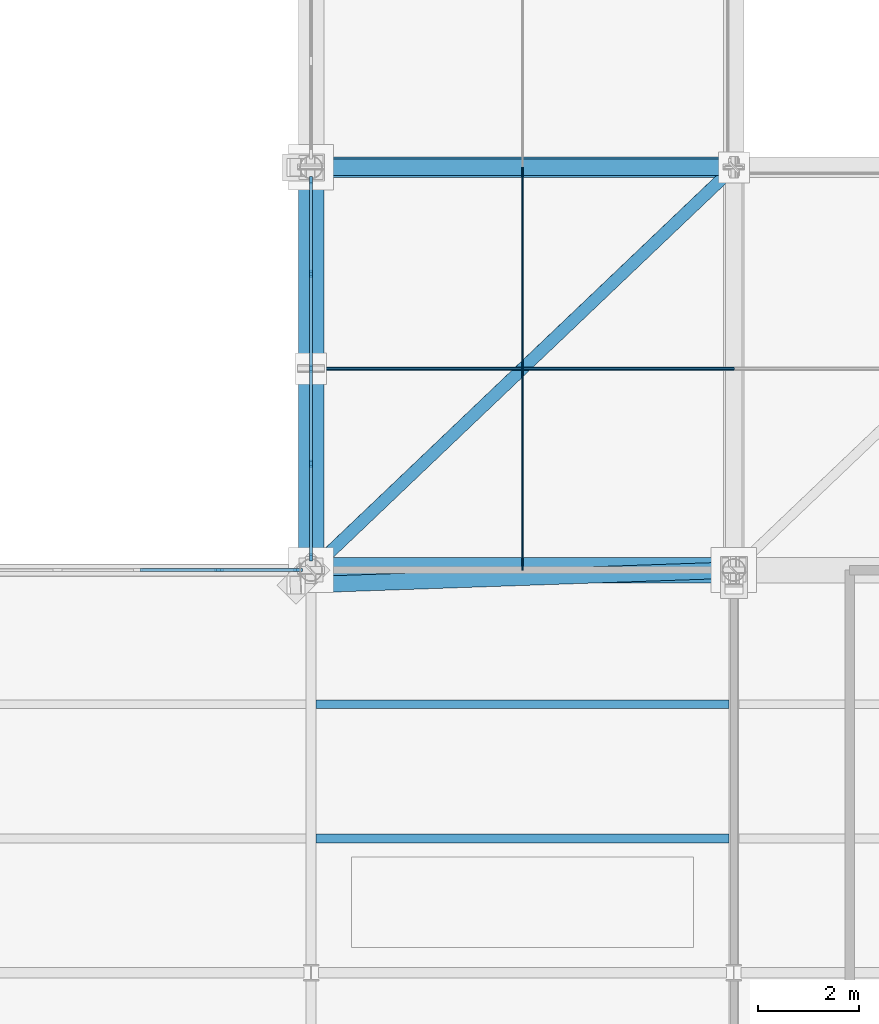
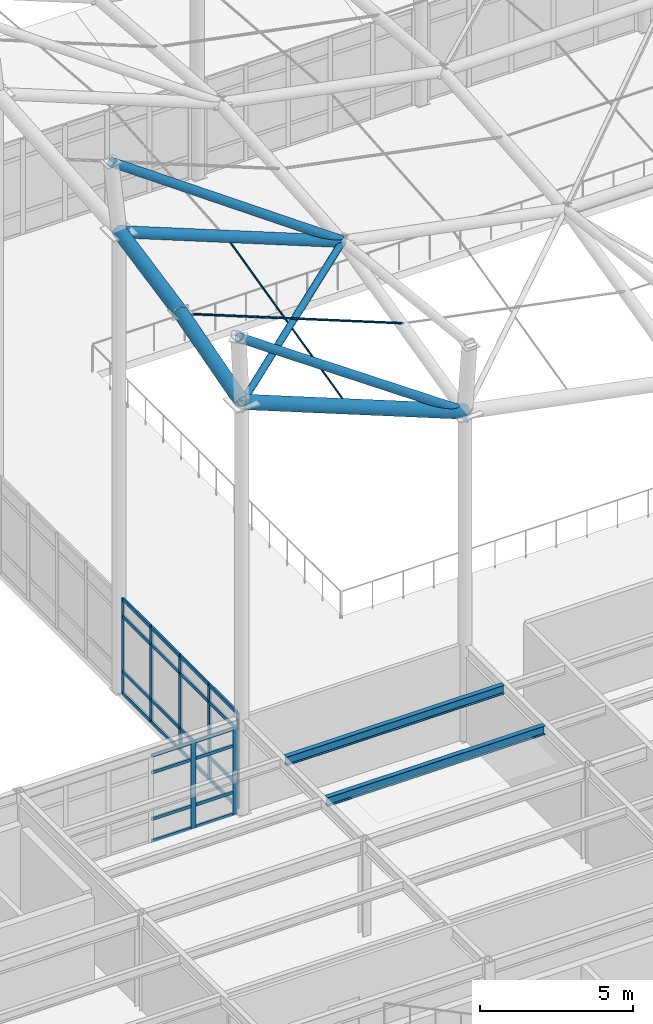
# One storey, part 29 of 138: 36 members, 6 beams, 2 elements without a shape of their own.
"""IFC4 building model written with IfcOpenShell, lengths in metres."""

from ifc_helpers import new_model, si_unit, direction, frame, origin, origin_2d, place, context, subcontext, project, spatial, rectangle, circle, hollow_circle, i_section, extrude, material, layer, layer_set, material_profile, profile_set, type_object, element, aggregate, save


model = new_model("IFC4")

# Units and contexts
model_context = context("Model", 3, precision=1e-05, world=origin(), true_north=direction((0.0, 1.0)))
body_context = subcontext(model_context, "Body", "Model", "MODEL_VIEW")
ifc_project = project(units=[si_unit("LENGTHUNIT", "METRE"), si_unit("AREAUNIT", "SQUARE_METRE"), si_unit("VOLUMEUNIT", "CUBIC_METRE"), si_unit("PLANEANGLEUNIT", "RADIAN"), si_unit("MASSUNIT", "GRAM", prefix="KILO")], contexts=[model_context])

# Site, building, storey
site_placement = place(None, origin())
site = spatial("IfcSite", under=ifc_project, at=site_placement, CompositionType="ELEMENT")
building_placement = place(site_placement, origin())
building = spatial("IfcBuilding", under=site, at=building_placement, Name="Kranzveld Transit Interchange", CompositionType="ELEMENT")
storey_placement = place(building_placement, frame((0.0, 0.0, 5.43994140625)))
storey = spatial("IfcBuildingStorey", under=building, at=storey_placement, Name="L01", CompositionType="ELEMENT", Elevation=5.43994140625)

# Curtain wall, members
ifc_material_1 = material(Name="Bronze-anodised thermally broken aluminium", Category="aluminium")
ifc_layer_1 = layer(ifc_material_1, 0.159912109375)
ifc_layer_set_1 = layer_set([ifc_layer_1], Name="Bronze-anodised thermally broken aluminium")
curtain_wall_type_1 = type_object("IfcCurtainWallType", Name="Bus Boarding Glazed Screen CW-3", PredefinedType="USERDEFINED", material=ifc_layer_set_1)
curtain_wall_1_placement = place(storey_placement, origin())
curtain_wall_1 = element("IfcCurtainWall", 1, at=curtain_wall_1_placement, inside=storey, type_object=curtain_wall_type_1, Name="L01 Curtain Wall 08/H-08/J", ObjectType="CURTAIN WALL", PredefinedType="USERDEFINED")
ifc_material_2 = material(Name="Bronze-anodised thermally broken aluminium", Category="aluminium")
ifc_material_profile_1 = material_profile(ifc_material_2, rectangle(XDim=0.06005859375, YDim=0.14990234375, at=origin_2d()), Name="ALU MULLION 60x150")
ifc_profile_set_1 = profile_set([ifc_material_profile_1], Name="Bronze-anodised thermally broken aluminium")
member_type_1 = type_object("IfcMemberType", Name="Curtain Wall Mullion 60x150 Alu", PredefinedType="MULLION", material=ifc_profile_set_1)
member_1_placement = place(storey_placement, frame((58.800048828125, 56.258544921875, 0.0), z_axis=(0.0, 0.0, 1.0), x_axis=(-1.0, 0.0, 0.0)))
member_1 = element("IfcMember", 2, at=member_1_placement, type_object=member_type_1, Name="CW-3 mullion 1", PredefinedType="MULLION", context=body_context, shape_type="SweptSolid", body=[
    extrude(rectangle(XDim=0.06005859375, YDim=0.14990234375, at=origin_2d()), origin(), (0.0, 0.0, 1.0), 3.800048828125),
])
member_2_placement = place(storey_placement, frame((58.800048828125, 58.1142578125, 0.0), z_axis=(0.0, 0.0, 1.0), x_axis=(-1.0, 0.0, 0.0)))
member_2 = element("IfcMember", 3, at=member_2_placement, type_object=member_type_1, Name="CW-3 mullion 2", PredefinedType="MULLION", context=body_context, shape_type="SweptSolid", body=[
    extrude(rectangle(XDim=0.06005859375, YDim=0.14990234375, at=origin_2d()), origin(), (0.0, 0.0, 1.0), 3.800048828125),
])
member_3_placement = place(storey_placement, frame((58.800048828125, 60.0, 0.0), z_axis=(0.0, 0.0, 1.0), x_axis=(-1.0, 0.0, 0.0)))
member_3 = element("IfcMember", 4, at=member_3_placement, type_object=member_type_1, Name="CW-3 mullion 3", PredefinedType="MULLION", context=body_context, shape_type="SweptSolid", body=[
    extrude(rectangle(XDim=0.06005859375, YDim=0.14990234375, at=origin_2d()), origin(), (0.0, 0.0, 1.0), 3.800048828125),
])
member_4_placement = place(storey_placement, frame((58.800048828125, 61.8857421875, 0.0), z_axis=(0.0, 0.0, 1.0), x_axis=(-1.0, 0.0, 0.0)))
member_4 = element("IfcMember", 5, at=member_4_placement, type_object=member_type_1, Name="CW-3 mullion 4", PredefinedType="MULLION", context=body_context, shape_type="SweptSolid", body=[
    extrude(rectangle(XDim=0.06005859375, YDim=0.14990234375, at=origin_2d()), origin(), (0.0, 0.0, 1.0), 3.800048828125),
])
member_5_placement = place(storey_placement, frame((58.800048828125, 63.741455078125, 0.0), z_axis=(0.0, 0.0, 1.0), x_axis=(-1.0, 0.0, 0.0)))
member_5 = element("IfcMember", 6, at=member_5_placement, type_object=member_type_1, Name="CW-3 mullion 5", PredefinedType="MULLION", context=body_context, shape_type="SweptSolid", body=[
    extrude(rectangle(XDim=0.06005859375, YDim=0.14990234375, at=origin_2d()), origin(), (0.0, 0.0, 1.0), 3.800048828125),
])

ifc_material_3 = material(Name="Bronze-anodised thermally broken aluminium", Category="aluminium")
ifc_layer_2 = layer(ifc_material_3, 0.1650390625)
ifc_layer_set_2 = layer_set([ifc_layer_2], Name="Bronze-anodised thermally broken aluminium")
curtain_wall_type_2 = type_object("IfcCurtainWallType", Name="Sunny Court Arcade Curtain Wall CW-2", PredefinedType="USERDEFINED", material=ifc_layer_set_2)
curtain_wall_2_placement = place(storey_placement, origin())
curtain_wall_2 = element("IfcCurtainWall", 7, at=curtain_wall_2_placement, inside=storey, type_object=curtain_wall_type_2, Name="L01 Curtain Wall 07/H-08/H", ObjectType="CURTAIN WALL", PredefinedType="USERDEFINED")
ifc_material_4 = material(Name="Bronze-anodised thermally broken aluminium", Category="aluminium")
ifc_material_profile_2 = material_profile(ifc_material_4, rectangle(XDim=0.06494140625, YDim=0.179931640625, at=origin_2d()), Name="ALU MULLION 65x180")
ifc_profile_set_2 = profile_set([ifc_material_profile_2], Name="Bronze-anodised thermally broken aluminium")
member_type_2 = type_object("IfcMemberType", Name="Curtain Wall Mullion 65x180 Alu", PredefinedType="MULLION", material=ifc_profile_set_2)
member_6_placement = place(storey_placement, frame((56.968017578125, 56.0, 0.0), z_axis=(0.0, 0.0, 1.0), x_axis=(0.0, 1.0, 0.0)))
member_6 = element("IfcMember", 8, at=member_6_placement, type_object=member_type_2, Name="CW-2 mullion 5", PredefinedType="MULLION", context=body_context, shape_type="SweptSolid", body=[
    extrude(rectangle(XDim=0.06494140625, YDim=0.179931640625, at=origin_2d()), origin(), (0.0, 0.0, 1.0), 3.449951171875),
])
member_7_placement = place(storey_placement, frame((58.5390625, 56.0, 0.0), z_axis=(0.0, 0.0, 1.0), x_axis=(0.0, 1.0, 0.0)))
member_7 = element("IfcMember", 9, at=member_7_placement, type_object=member_type_2, Name="CW-2 mullion 6", PredefinedType="MULLION", context=body_context, shape_type="SweptSolid", body=[
    extrude(rectangle(XDim=0.06494140625, YDim=0.179931640625, at=origin_2d()), origin(), (0.0, 0.0, 1.0), 3.449951171875),
])
ifc_material_5 = material(Name="Bronze-anodised thermally broken aluminium", Category="aluminium")
ifc_material_profile_3 = material_profile(ifc_material_5, rectangle(XDim=0.06005859375, YDim=0.125, at=origin_2d()), Name="ALU TRANSOM 60x125")
ifc_profile_set_3 = profile_set([ifc_material_profile_3], Name="Bronze-anodised thermally broken aluminium")
member_type_3 = type_object("IfcMemberType", Name="Curtain Wall Transom 60x125 Alu", PredefinedType="USERDEFINED", material=ifc_profile_set_3)
member_8_placement = place(storey_placement, frame((55.397216796875, 56.0, 0.030029296875), z_axis=(1.0, 0.0, 0.0), x_axis=(0.0, 1.0, 0.0)))
member_8 = element("IfcMember", 10, at=member_8_placement, type_object=member_type_3, Name="CW-2 transom 4.1", ObjectType="TRANSOM", PredefinedType="USERDEFINED", context=body_context, shape_type="SweptSolid", body=[
    extrude(rectangle(XDim=0.06005859375, YDim=0.125, at=origin_2d()), origin(), (0.0, 0.0, 1.0), 1.538330078125),
])
member_9_placement = place(storey_placement, frame((55.397216796875, 56.0, 0.900146484375), z_axis=(1.0, 0.0, 0.0), x_axis=(0.0, 1.0, 0.0)))
member_9 = element("IfcMember", 11, at=member_9_placement, type_object=member_type_3, Name="CW-2 transom 4.2", ObjectType="TRANSOM", PredefinedType="USERDEFINED", context=body_context, shape_type="SweptSolid", body=[
    extrude(rectangle(XDim=0.06005859375, YDim=0.125, at=origin_2d()), origin(), (0.0, 0.0, 1.0), 1.538330078125),
])
member_10_placement = place(storey_placement, frame((55.397216796875, 56.0, 2.75), z_axis=(1.0, 0.0, 0.0), x_axis=(0.0, 1.0, 0.0)))
member_10 = element("IfcMember", 12, at=member_10_placement, type_object=member_type_3, Name="CW-2 transom 4.3", ObjectType="TRANSOM", PredefinedType="USERDEFINED", context=body_context, shape_type="SweptSolid", body=[
    extrude(rectangle(XDim=0.06005859375, YDim=0.125, at=origin_2d()), origin(), (0.0, 0.0, 1.0), 1.538330078125),
])
member_11_placement = place(storey_placement, frame((55.397216796875, 56.0, 3.420166015625), z_axis=(1.0, 0.0, 0.0), x_axis=(0.0, 1.0, 0.0)))
member_11 = element("IfcMember", 13, at=member_11_placement, type_object=member_type_3, Name="CW-2 transom 4.4", ObjectType="TRANSOM", PredefinedType="USERDEFINED", context=body_context, shape_type="SweptSolid", body=[
    extrude(rectangle(XDim=0.06005859375, YDim=0.125, at=origin_2d()), origin(), (0.0, 0.0, 1.0), 1.538330078125),
])
member_12_placement = place(storey_placement, frame((57.000732421875, 56.0, 0.030029296875), z_axis=(1.0, 0.0, 0.0), x_axis=(0.0, 1.0, 0.0)))
member_12 = element("IfcMember", 14, at=member_12_placement, type_object=member_type_3, Name="CW-2 transom 5.1", ObjectType="TRANSOM", PredefinedType="USERDEFINED", context=body_context, shape_type="SweptSolid", body=[
    extrude(rectangle(XDim=0.06005859375, YDim=0.125, at=origin_2d()), origin(), (0.0, 0.0, 1.0), 1.505859375),
])
member_13_placement = place(storey_placement, frame((57.000732421875, 56.0, 0.900146484375), z_axis=(1.0, 0.0, 0.0), x_axis=(0.0, 1.0, 0.0)))
member_13 = element("IfcMember", 15, at=member_13_placement, type_object=member_type_3, Name="CW-2 transom 5.2", ObjectType="TRANSOM", PredefinedType="USERDEFINED", context=body_context, shape_type="SweptSolid", body=[
    extrude(rectangle(XDim=0.06005859375, YDim=0.125, at=origin_2d()), origin(), (0.0, 0.0, 1.0), 1.505859375),
])
member_14_placement = place(storey_placement, frame((57.000732421875, 56.0, 2.75), z_axis=(1.0, 0.0, 0.0), x_axis=(0.0, 1.0, 0.0)))
member_14 = element("IfcMember", 16, at=member_14_placement, type_object=member_type_3, Name="CW-2 transom 5.3", ObjectType="TRANSOM", PredefinedType="USERDEFINED", context=body_context, shape_type="SweptSolid", body=[
    extrude(rectangle(XDim=0.06005859375, YDim=0.125, at=origin_2d()), origin(), (0.0, 0.0, 1.0), 1.505859375),
])
member_15_placement = place(storey_placement, frame((57.000732421875, 56.0, 3.420166015625), z_axis=(1.0, 0.0, 0.0), x_axis=(0.0, 1.0, 0.0)))
member_15 = element("IfcMember", 17, at=member_15_placement, type_object=member_type_3, Name="CW-2 transom 5.4", ObjectType="TRANSOM", PredefinedType="USERDEFINED", context=body_context, shape_type="SweptSolid", body=[
    extrude(rectangle(XDim=0.06005859375, YDim=0.125, at=origin_2d()), origin(), (0.0, 0.0, 1.0), 1.505859375),
])
aggregate(curtain_wall_2, [member_6, member_7, member_8, member_9, member_10, member_11, member_12, member_13, member_14, member_15])

# Member
ifc_material_6 = material(Name="Bronze-anodised thermally broken aluminium", Category="aluminium")
ifc_material_profile_4 = material_profile(ifc_material_6, rectangle(XDim=0.06494140625, YDim=0.139892578125, at=origin_2d()), Name="ALU TRANSOM 65x140")
ifc_profile_set_4 = profile_set([ifc_material_profile_4], Name="Bronze-anodised thermally broken aluminium")
member_type_4 = type_object("IfcMemberType", Name="Curtain Wall Transom 65x140 Alu", PredefinedType="USERDEFINED", material=ifc_profile_set_4)
member_16_placement = place(storey_placement, frame((58.800048828125, 56.28857421875, 0.032470703125), z_axis=(0.0, 1.0, 0.0), x_axis=(-1.0, 0.0, 0.0)))
member_16 = element("IfcMember", 18, at=member_16_placement, type_object=member_type_4, Name="CW-3 transom 1.1", ObjectType="TRANSOM", PredefinedType="USERDEFINED", context=body_context, shape_type="SweptSolid", body=[
    extrude(rectangle(XDim=0.06494140625, YDim=0.139892578125, at=origin_2d()), origin(), (0.0, 0.0, 1.0), 1.795654296875),
])

member_17_placement = place(storey_placement, frame((58.800048828125, 56.28857421875, 0.900146484375), z_axis=(0.0, 1.0, 0.0), x_axis=(-1.0, 0.0, 0.0)))
member_17 = element("IfcMember", 19, at=member_17_placement, type_object=member_type_4, Name="CW-3 transom 1.2", ObjectType="TRANSOM", PredefinedType="USERDEFINED", context=body_context, shape_type="SweptSolid", body=[
    extrude(rectangle(XDim=0.06494140625, YDim=0.139892578125, at=origin_2d()), origin(), (0.0, 0.0, 1.0), 1.795654296875),
])

member_18_placement = place(storey_placement, frame((58.800048828125, 56.28857421875, 3.10009765625), z_axis=(0.0, 1.0, 0.0), x_axis=(-1.0, 0.0, 0.0)))
member_18 = element("IfcMember", 20, at=member_18_placement, type_object=member_type_4, Name="CW-3 transom 1.3", ObjectType="TRANSOM", PredefinedType="USERDEFINED", context=body_context, shape_type="SweptSolid", body=[
    extrude(rectangle(XDim=0.06494140625, YDim=0.139892578125, at=origin_2d()), origin(), (0.0, 0.0, 1.0), 1.795654296875),
])

member_19_placement = place(storey_placement, frame((58.800048828125, 56.28857421875, 3.767578125), z_axis=(0.0, 1.0, 0.0), x_axis=(-1.0, 0.0, 0.0)))
member_19 = element("IfcMember", 21, at=member_19_placement, type_object=member_type_4, Name="CW-3 transom 1.4", ObjectType="TRANSOM", PredefinedType="USERDEFINED", context=body_context, shape_type="SweptSolid", body=[
    extrude(rectangle(XDim=0.06494140625, YDim=0.139892578125, at=origin_2d()), origin(), (0.0, 0.0, 1.0), 1.795654296875),
])

member_20_placement = place(storey_placement, frame((58.800048828125, 58.144287109375, 0.032470703125), z_axis=(0.0, 1.0, 0.0), x_axis=(-1.0, 0.0, 0.0)))
member_20 = element("IfcMember", 22, at=member_20_placement, type_object=member_type_4, Name="CW-3 transom 2.1", ObjectType="TRANSOM", PredefinedType="USERDEFINED", context=body_context, shape_type="SweptSolid", body=[
    extrude(rectangle(XDim=0.06494140625, YDim=0.139892578125, at=origin_2d()), origin(), (0.0, 0.0, 1.0), 1.82568359375),
])

member_21_placement = place(storey_placement, frame((58.800048828125, 58.144287109375, 0.900146484375), z_axis=(0.0, 1.0, 0.0), x_axis=(-1.0, 0.0, 0.0)))
member_21 = element("IfcMember", 23, at=member_21_placement, type_object=member_type_4, Name="CW-3 transom 2.2", ObjectType="TRANSOM", PredefinedType="USERDEFINED", context=body_context, shape_type="SweptSolid", body=[
    extrude(rectangle(XDim=0.06494140625, YDim=0.139892578125, at=origin_2d()), origin(), (0.0, 0.0, 1.0), 1.82568359375),
])

member_22_placement = place(storey_placement, frame((58.800048828125, 58.144287109375, 3.10009765625), z_axis=(0.0, 1.0, 0.0), x_axis=(-1.0, 0.0, 0.0)))
member_22 = element("IfcMember", 24, at=member_22_placement, type_object=member_type_4, Name="CW-3 transom 2.3", ObjectType="TRANSOM", PredefinedType="USERDEFINED", context=body_context, shape_type="SweptSolid", body=[
    extrude(rectangle(XDim=0.06494140625, YDim=0.139892578125, at=origin_2d()), origin(), (0.0, 0.0, 1.0), 1.82568359375),
])

member_23_placement = place(storey_placement, frame((58.800048828125, 58.144287109375, 3.767578125), z_axis=(0.0, 1.0, 0.0), x_axis=(-1.0, 0.0, 0.0)))
member_23 = element("IfcMember", 25, at=member_23_placement, type_object=member_type_4, Name="CW-3 transom 2.4", ObjectType="TRANSOM", PredefinedType="USERDEFINED", context=body_context, shape_type="SweptSolid", body=[
    extrude(rectangle(XDim=0.06494140625, YDim=0.139892578125, at=origin_2d()), origin(), (0.0, 0.0, 1.0), 1.82568359375),
])

member_24_placement = place(storey_placement, frame((58.800048828125, 60.030029296875, 0.032470703125), z_axis=(0.0, 1.0, 0.0), x_axis=(-1.0, 0.0, 0.0)))
member_24 = element("IfcMember", 26, at=member_24_placement, type_object=member_type_4, Name="CW-3 transom 3.1", ObjectType="TRANSOM", PredefinedType="USERDEFINED", context=body_context, shape_type="SweptSolid", body=[
    extrude(rectangle(XDim=0.06494140625, YDim=0.139892578125, at=origin_2d()), origin(), (0.0, 0.0, 1.0), 1.82568359375),
])

member_25_placement = place(storey_placement, frame((58.800048828125, 60.030029296875, 0.900146484375), z_axis=(0.0, 1.0, 0.0), x_axis=(-1.0, 0.0, 0.0)))
member_25 = element("IfcMember", 27, at=member_25_placement, type_object=member_type_4, Name="CW-3 transom 3.2", ObjectType="TRANSOM", PredefinedType="USERDEFINED", context=body_context, shape_type="SweptSolid", body=[
    extrude(rectangle(XDim=0.06494140625, YDim=0.139892578125, at=origin_2d()), origin(), (0.0, 0.0, 1.0), 1.82568359375),
])

member_26_placement = place(storey_placement, frame((58.800048828125, 60.030029296875, 3.10009765625), z_axis=(0.0, 1.0, 0.0), x_axis=(-1.0, 0.0, 0.0)))
member_26 = element("IfcMember", 28, at=member_26_placement, type_object=member_type_4, Name="CW-3 transom 3.3", ObjectType="TRANSOM", PredefinedType="USERDEFINED", context=body_context, shape_type="SweptSolid", body=[
    extrude(rectangle(XDim=0.06494140625, YDim=0.139892578125, at=origin_2d()), origin(), (0.0, 0.0, 1.0), 1.82568359375),
])

member_27_placement = place(storey_placement, frame((58.800048828125, 60.030029296875, 3.767578125), z_axis=(0.0, 1.0, 0.0), x_axis=(-1.0, 0.0, 0.0)))
member_27 = element("IfcMember", 29, at=member_27_placement, type_object=member_type_4, Name="CW-3 transom 3.4", ObjectType="TRANSOM", PredefinedType="USERDEFINED", context=body_context, shape_type="SweptSolid", body=[
    extrude(rectangle(XDim=0.06494140625, YDim=0.139892578125, at=origin_2d()), origin(), (0.0, 0.0, 1.0), 1.82568359375),
])

member_28_placement = place(storey_placement, frame((58.800048828125, 61.915771484375, 0.032470703125), z_axis=(0.0, 1.0, 0.0), x_axis=(-1.0, 0.0, 0.0)))
member_28 = element("IfcMember", 30, at=member_28_placement, type_object=member_type_4, Name="CW-3 transom 4.1", ObjectType="TRANSOM", PredefinedType="USERDEFINED", context=body_context, shape_type="SweptSolid", body=[
    extrude(rectangle(XDim=0.06494140625, YDim=0.139892578125, at=origin_2d()), origin(), (0.0, 0.0, 1.0), 1.795654296875),
])

member_29_placement = place(storey_placement, frame((58.800048828125, 61.915771484375, 0.900146484375), z_axis=(0.0, 1.0, 0.0), x_axis=(-1.0, 0.0, 0.0)))
member_29 = element("IfcMember", 31, at=member_29_placement, type_object=member_type_4, Name="CW-3 transom 4.2", ObjectType="TRANSOM", PredefinedType="USERDEFINED", context=body_context, shape_type="SweptSolid", body=[
    extrude(rectangle(XDim=0.06494140625, YDim=0.139892578125, at=origin_2d()), origin(), (0.0, 0.0, 1.0), 1.795654296875),
])

member_30_placement = place(storey_placement, frame((58.800048828125, 61.915771484375, 3.10009765625), z_axis=(0.0, 1.0, 0.0), x_axis=(-1.0, 0.0, 0.0)))
member_30 = element("IfcMember", 32, at=member_30_placement, type_object=member_type_4, Name="CW-3 transom 4.3", ObjectType="TRANSOM", PredefinedType="USERDEFINED", context=body_context, shape_type="SweptSolid", body=[
    extrude(rectangle(XDim=0.06494140625, YDim=0.139892578125, at=origin_2d()), origin(), (0.0, 0.0, 1.0), 1.795654296875),
])

member_31_placement = place(storey_placement, frame((58.800048828125, 61.915771484375, 3.767578125), z_axis=(0.0, 1.0, 0.0), x_axis=(-1.0, 0.0, 0.0)))
member_31 = element("IfcMember", 33, at=member_31_placement, type_object=member_type_4, Name="CW-3 transom 4.4", ObjectType="TRANSOM", PredefinedType="USERDEFINED", context=body_context, shape_type="SweptSolid", body=[
    extrude(rectangle(XDim=0.06494140625, YDim=0.139892578125, at=origin_2d()), origin(), (0.0, 0.0, 1.0), 1.795654296875),
])

aggregate(curtain_wall_1, [member_1, member_2, member_3, member_4, member_5, member_16, member_17, member_18, member_19, member_20, member_21, member_22, member_23, member_24, member_25, member_26, member_27, member_28, member_29, member_30, member_31])

# Beams
ifc_material_7 = material(Name="Steel S355JR", Category="steel")
ifc_material_profile_5 = material_profile(ifc_material_7, i_section(OverallWidth=0.172119140625, OverallDepth=0.35791015625, WebThickness=0.008056640625, FlangeThickness=0.012939453125, FilletRadius=0.01025390625, at=origin_2d()), Name="UB 356x171x57")
ifc_profile_set_5 = profile_set([ifc_material_profile_5], Name="Steel S355JR")
beam_type_1 = type_object("IfcBeamType", Name="Floor Joist UB 356x171x57 S355JR", PredefinedType="JOIST", material=ifc_profile_set_5)
for number, where, z_axis, x_axis, name in (
    (34, (58.89794921875, 50.666748046875, 3.62109375), (1.0, 0.0, 0.0), (0.0, 1.0, 0.0), "L01 Secondary Joist 08-09/G.1"),
    (35, (58.89794921875, 53.333251953125, 3.62109375), (1.0, 0.0, 0.0), (0.0, 1.0, 0.0), "L01 Secondary Joist 08-09/G.2"),
):
    element("IfcBeam", number, at=place(storey_placement, frame(where, z_axis=z_axis, x_axis=x_axis)), inside=storey, type_object=beam_type_1, Name=name, PredefinedType="JOIST", context=body_context, shape_type="SweptSolid", body=[
        extrude(i_section(OverallWidth=0.172119140625, OverallDepth=0.35791015625, WebThickness=0.008056640625, FlangeThickness=0.012939453125, FilletRadius=0.01025390625, at=origin_2d()), origin(), (0.0, 0.0, 1.0), 8.2041015625),
    ])

# Members
ifc_material_8 = material(Name="Steel S355JR", Category="steel")
ifc_material_profile_6 = material_profile(ifc_material_8, hollow_circle(Radius=0.122314453125, WallThickness=0.008056640625, at=origin_2d()), Name="CHS 244.5x8")
ifc_profile_set_6 = profile_set([ifc_material_profile_6], Name="Steel S355JR")
member_type_5 = type_object("IfcMemberType", Name="Lateral Brace CHS 244.5x8 S355JR", PredefinedType="BRACE", material=ifc_profile_set_6)
member_32_placement = place(storey_placement, frame((58.800048828125, 56.0, 16.260009765625), z_axis=(0.719078408483, 0.684844541335, -0.117958453103), x_axis=(-0.689659376744, 0.724133926887, 0.0)))
element("IfcMember", 36, at=member_32_placement, inside=storey, type_object=member_type_5, Name="Saddle Roof Plan Brace 08/H-09/J", PredefinedType="BRACE", context=body_context, shape_type="SweptSolid", body=[
    extrude(hollow_circle(Radius=0.122314453125, WallThickness=0.008056640625, at=origin_2d()), origin(), (0.0, 0.0, 1.0), 11.681396484375),
])
ifc_material_9 = material(Name="Steel S355JR", Category="steel")
ifc_material_profile_7 = material_profile(ifc_material_9, hollow_circle(Radius=0.161865234375, WallThickness=0.012451171875, at=origin_2d()), Name="CHS 323.9x12.5")
ifc_profile_set_7 = profile_set([ifc_material_profile_7], Name="Steel S355JR")
member_type_6 = type_object("IfcMemberType", Name="Mast Tripod Strut CHS 323.9x12.5 S355JR", PredefinedType="STRUT", material=ifc_profile_set_7)
member_33_placement = place(storey_placement, frame((67.199951171875, 56.0, 12.982177734375), z_axis=(-0.81501599691, -0.02810873187, 0.578756273377), x_axis=(0.034468071491, -0.999405799487, 0.0)))
element("IfcMember", 37, at=member_33_placement, inside=storey, type_object=member_type_6, Name="Mast Tripod Strut MS-01", PredefinedType="STRUT", context=body_context, shape_type="SweptSolid", body=[
    extrude(hollow_circle(Radius=0.161865234375, WallThickness=0.012451171875, at=origin_2d()), origin(), (0.0, 0.0, 1.0), 10.674560546875),
])
member_34_placement = place(storey_placement, frame((67.199951171875, 64.0, 14.93212890625), z_axis=(-0.815338160227, 0.0, 0.578985046851), x_axis=(0.0, -1.0, 0.0)))
element("IfcMember", 38, at=member_34_placement, inside=storey, type_object=member_type_6, Name="Mast Tripod Strut MS-02", PredefinedType="STRUT", context=body_context, shape_type="SweptSolid", body=[
    extrude(hollow_circle(Radius=0.161865234375, WallThickness=0.012451171875, at=origin_2d()), origin(), (0.0, 0.0, 1.0), 10.67041015625),
])

# Beams
ifc_material_10 = material(Name="Steel S355JR", Category="steel")
ifc_material_profile_8 = material_profile(ifc_material_10, hollow_circle(Radius=0.25390625, WallThickness=0.02001953125, at=origin_2d()), Name="CHS 508x20")
ifc_profile_set_8 = profile_set([ifc_material_profile_8], Name="Steel S355JR")
beam_type_2 = type_object("IfcBeamType", Name="Ring Beam Steel CHS 508x20 S355JR", PredefinedType="BEAM", material=ifc_profile_set_8)
beam_1_placement = place(storey_placement, frame((58.800048828125, 56.0, 16.31005859375), z_axis=(0.929695991495, 0.0, -0.36832779341), x_axis=(0.0, 1.0, 0.0)))
element("IfcBeam", 39, at=beam_1_placement, inside=storey, type_object=beam_type_2, Name="Saddle Compression Ring Chord 08H-09H", PredefinedType="BEAM", context=body_context, shape_type="SweptSolid", body=[
    extrude(hollow_circle(Radius=0.25390625, WallThickness=0.02001953125, at=origin_2d()), origin(), (0.0, 0.0, 1.0), 9.03515625),
])
beam_2_placement = place(storey_placement, frame((58.800048828125, 64.0, 18.260009765625), z_axis=(0.0, -0.979987319582, -0.19905992429), x_axis=(1.0, 0.0, 0.0)))
element("IfcBeam", 40, at=beam_2_placement, inside=storey, type_object=beam_type_2, Name="Saddle Compression Ring Chord 08J-08Hm", PredefinedType="BEAM", context=body_context, shape_type="SweptSolid", body=[
    extrude(hollow_circle(Radius=0.25390625, WallThickness=0.02001953125, at=origin_2d()), origin(), (0.0, 0.0, 1.0), 4.081787109375),
])
beam_3_placement = place(storey_placement, frame((58.800048828125, 60.0, 17.447509765625), z_axis=(0.0, -0.96186658105, -0.273519067451), x_axis=(1.0, 0.0, 0.0)))
element("IfcBeam", 41, at=beam_3_placement, inside=storey, type_object=beam_type_2, Name="Saddle Compression Ring Chord 08Hm-08H", PredefinedType="BEAM", context=body_context, shape_type="SweptSolid", body=[
    extrude(hollow_circle(Radius=0.25390625, WallThickness=0.02001953125, at=origin_2d()), origin(), (0.0, 0.0, 1.0), 4.15869140625),
])
ifc_material_11 = material(Name="Steel S355JR", Category="steel")
ifc_material_profile_9 = material_profile(ifc_material_11, hollow_circle(Radius=0.203125, WallThickness=0.01611328125, at=origin_2d()), Name="CHS 406.4x16")
ifc_profile_set_9 = profile_set([ifc_material_profile_9], Name="Steel S355JR")
beam_type_3 = type_object("IfcBeamType", Name="Saddle Arch Rib CHS 406.4x16 S355JR", PredefinedType="BEAM", material=ifc_profile_set_9)
beam_4_placement = place(storey_placement, frame((58.800048828125, 64.0, 18.22998046875), z_axis=(0.929695991495, 0.0, -0.36832779341), x_axis=(0.0, 1.0, 0.0)))
element("IfcBeam", 42, at=beam_4_placement, inside=storey, type_object=beam_type_3, Name="Saddle Arch Rib 08-09/J", PredefinedType="BEAM", context=body_context, shape_type="SweptSolid", body=[
    extrude(hollow_circle(Radius=0.203125, WallThickness=0.01611328125, at=origin_2d()), origin(), (0.0, 0.0, 1.0), 9.03515625),
])

# Members
ifc_material_12 = material(Name="Steel S355JR", Category="steel")
ifc_material_profile_10 = material_profile(ifc_material_12, circle(Radius=0.031982421875, at=origin_2d()), Name="CABLE D64")
ifc_profile_set_10 = profile_set([ifc_material_profile_10], Name="Steel S355JR")
member_type_7 = type_object("IfcMemberType", Name="Saddle Carrying Cable D64 S355JR", PredefinedType="USERDEFINED", material=ifc_profile_set_10)
member_35_placement = place(storey_placement, frame((58.800048828125, 60.0, 17.3974609375), z_axis=(0.929695991495, 0.0, -0.36832779341), x_axis=(0.0, 1.0, 0.0)))
element("IfcMember", 43, at=member_35_placement, inside=storey, type_object=member_type_7, Name="Saddle Carrying Cable 08/J", ObjectType="CABLE", PredefinedType="USERDEFINED", context=body_context, shape_type="SweptSolid", body=[
    extrude(circle(Radius=0.031982421875, at=origin_2d()), origin(), (0.0, 0.0, 1.0), 9.03515625),
])
ifc_material_13 = material(Name="Steel S355JR", Category="steel")
ifc_material_profile_11 = material_profile(ifc_material_13, circle(Radius=0.02392578125, at=origin_2d()), Name="CABLE D48")
ifc_profile_set_11 = profile_set([ifc_material_profile_11], Name="Steel S355JR")
member_type_8 = type_object("IfcMemberType", Name="Saddle Stabilising Cable D48 S355JR", PredefinedType="USERDEFINED", material=ifc_profile_set_11)
member_36_placement = place(storey_placement, frame((63.0, 56.0, 14.3681640625), z_axis=(0.0, 0.971555787477, 0.236810793292), x_axis=(-1.0, 0.0, 0.0)))
element("IfcMember", 44, at=member_36_placement, inside=storey, type_object=member_type_8, Name="Saddle Stabilising Cable 09/H", ObjectType="CABLE", PredefinedType="USERDEFINED", context=body_context, shape_type="SweptSolid", body=[
    extrude(circle(Radius=0.02392578125, at=origin_2d()), origin(), (0.0, 0.0, 1.0), 8.234130859375),
])

save(model, "model.ifc")
